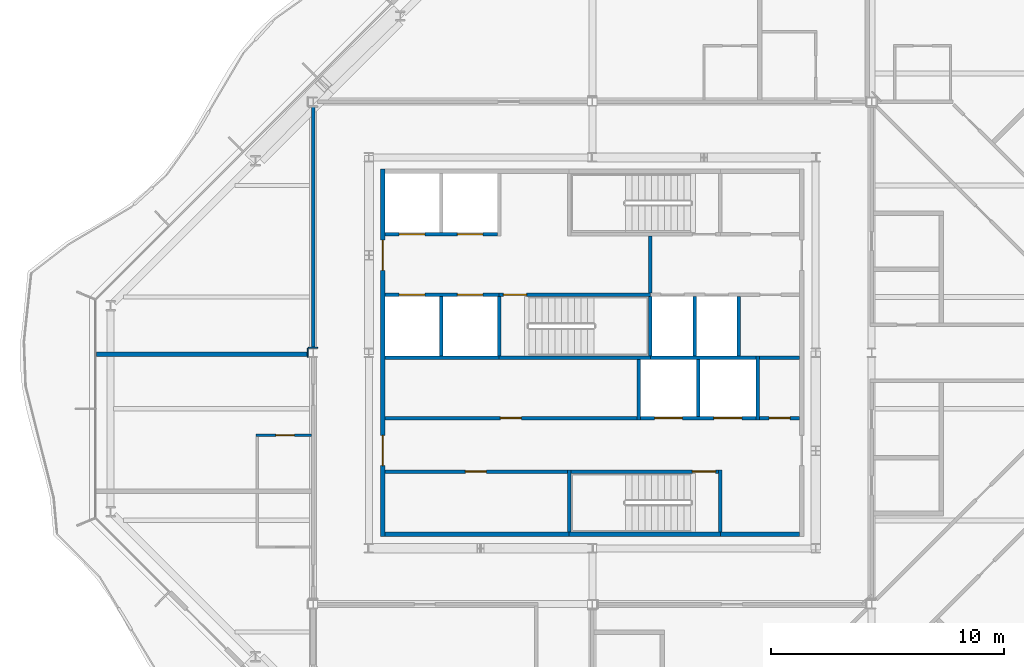
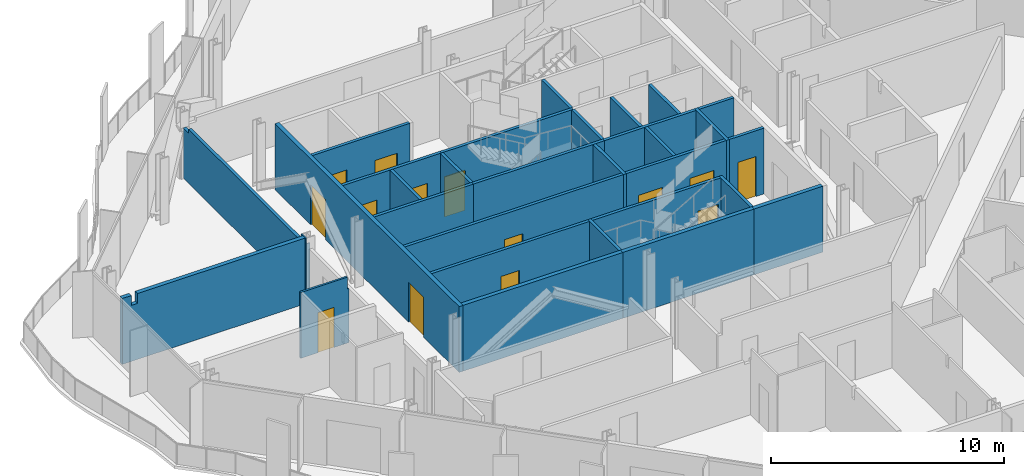
# One storey, part 8 of 17: 32 walls, 14 doors, 14 openings.
"""IFC4 building model written with IfcOpenShell, lengths in metres."""

from ifc_helpers import new_model, si_unit, direction, frame, frame_2d, origin, place, context, subcontext, project, spatial, polyline, rectangle, outline, extrude, material, layer, layer_set, type_object, element, fill, save


model = new_model("IFC4")

# Units and contexts
model_context = context("Model", 3, precision=1e-05, world=origin(), true_north=direction((0.0, 1.0)))
body_context = subcontext(model_context, "Body", "Model", "MODEL_VIEW")
ifc_project = project(units=[si_unit("LENGTHUNIT", "METRE"), si_unit("AREAUNIT", "SQUARE_METRE"), si_unit("VOLUMEUNIT", "CUBIC_METRE"), si_unit("PLANEANGLEUNIT", "RADIAN"), si_unit("MASSUNIT", "GRAM", prefix="KILO")], contexts=[model_context])

# Site, building, storey
site_placement = place(None, origin())
site = spatial("IfcSite", under=ifc_project, at=site_placement, CompositionType="ELEMENT")
building_placement = place(site_placement, origin())
building = spatial("IfcBuilding", under=site, at=building_placement, Name="Cairn Pilgrim Tower", CompositionType="ELEMENT")
storey_placement = place(building_placement, frame((0.0, 0.0, 221.39990234375)))
storey = spatial("IfcBuildingStorey", under=building, at=storey_placement, Name="L56", CompositionType="ELEMENT", Elevation=221.39990234375)

# Walls
ifc_material_1 = material(Name="Concrete C32/40", Category="concrete")
ifc_layer_1 = layer(ifc_material_1, 0.199951171875)
ifc_layer_set_1 = layer_set([ifc_layer_1], Name="CORE OUTER WALL 200 EI 120")
wall_type_1 = type_object("IfcWallType", Name="CORE OUTER WALL 200 EI 120", PredefinedType="SOLIDWALL", material=ifc_layer_set_1)
wall_1_placement = place(storey_placement, frame((-1.699951171875, -5.39990234375, 0.0), z_axis=(0.0, 0.0, 1.0), x_axis=(1.0, 0.0, 0.0)))
element("IfcWall", 1, at=wall_1_placement, inside=storey, type_object=wall_type_1, Name="CW:L56:H01-1", PredefinedType="SOLIDWALL", context=body_context, shape_type="SweptSolid", body=[
    extrude(rectangle(XDim=7.89990234375, YDim=0.199951171875, at=frame_2d((3.949951171875, 0.0))), origin(), (0.0, 0.0, 1.0), 3.4501953125),
])
wall_2_placement = place(storey_placement, frame((12.699951171875, -5.39990234375, 0.0), z_axis=(0.0, 0.0, 1.0), x_axis=(1.0, 0.0, 0.0)))
element("IfcWall", 2, at=wall_2_placement, inside=storey, type_object=wall_type_1, Name="CW:L56:H01-3", PredefinedType="SOLIDWALL", context=body_context, shape_type="SweptSolid", body=[
    extrude(rectangle(XDim=3.400146484375, YDim=0.199951171875, at=frame_2d((1.7001953125, 0.0))), origin(), (0.0, 0.0, 1.0), 3.4501953125),
])

# Wall, openings, doors
wall_3_placement = place(storey_placement, frame((-1.800048828125, -5.5, 0.0), z_axis=(0.0, 0.0, 1.0), x_axis=(0.0, 1.0, 0.0)))
wall_3 = element("IfcWall", 3, at=wall_3_placement, inside=storey, type_object=wall_type_1, Name="CW:L56:V13", PredefinedType="SOLIDWALL", context=body_context, shape_type="SweptSolid", body=[
    extrude(rectangle(XDim=15.800048828125, YDim=0.199951171875, at=frame_2d((7.89990234375, 0.0))), origin(), (0.0, 0.0, 1.0), 3.4501953125),
])
opening_1_placement = place(wall_3_placement, frame((3.050048828125, 0.0, 0.0)))
opening_1 = element("IfcOpeningElement", 4, at=opening_1_placement, cuts=wall_3, Name="Opening CD-W1", PredefinedType="OPENING", context=body_context, shape_type="SweptSolid", body=[
    extrude(rectangle(XDim=1.300048828125, YDim=2.10009765625, at=frame_2d((0.64990234375, 1.050048828125))), frame((0.0, 0.10986328125, 0.0), z_axis=(0.0, -1.0, 0.0), x_axis=(1.0, 0.0, 0.0)), (0.0, 0.0, 1.0), 0.219970703125),
])
opening_2_placement = place(wall_3_placement, frame((11.449951171875, 0.0, 0.0)))
opening_2 = element("IfcOpeningElement", 5, at=opening_2_placement, cuts=wall_3, Name="Opening CD-W2", PredefinedType="OPENING", context=body_context, shape_type="SweptSolid", body=[
    extrude(rectangle(XDim=1.300048828125, YDim=2.10009765625, at=frame_2d((0.64990234375, 1.050048828125))), frame((0.0, 0.10986328125, 0.0), z_axis=(0.0, -1.0, 0.0), x_axis=(1.0, 0.0, 0.0)), (0.0, 0.0, 1.0), 0.219970703125),
])
ifc_material_2 = material(Name="Painted steel", Category="steel")
door_type_1 = type_object("IfcDoorType", Name="CORE LOBBY DOOR 1300x2100", OperationType="DOUBLE_DOOR_SINGLE_SWING", PredefinedType="DOOR", material=ifc_material_2)
door_1_placement = place(opening_1_placement, origin())
door_1 = element("IfcDoor", 6, at=door_1_placement, inside=storey, type_object=door_type_1, Name="CD-W1", OperationType="DOUBLE_DOOR_SINGLE_SWING", OverallHeight=2.10009765625, OverallWidth=1.300048828125, PredefinedType="DOOR", context=body_context, shape_type="SweptSolid", body=[
    extrude(rectangle(XDim=1.300048828125, YDim=2.10009765625, at=frame_2d((0.64990234375, 1.050048828125))), frame((0.0, 0.02490234375, 0.0), z_axis=(0.0, -1.0, 0.0), x_axis=(1.0, 0.0, 0.0)), (0.0, 0.0, 1.0), 0.050048828125),
])
fill(opening_1, door_1)
door_2_placement = place(opening_2_placement, origin())
door_2 = element("IfcDoor", 7, at=door_2_placement, inside=storey, type_object=door_type_1, Name="CD-W2", OperationType="DOUBLE_DOOR_SINGLE_SWING", OverallHeight=2.10009765625, OverallWidth=1.300048828125, PredefinedType="DOOR", context=body_context, shape_type="SweptSolid", body=[
    extrude(rectangle(XDim=1.300048828125, YDim=2.10009765625, at=frame_2d((0.64990234375, 1.050048828125))), frame((0.0, 0.02490234375, 0.0), z_axis=(0.0, -1.0, 0.0), x_axis=(1.0, 0.0, 0.0)), (0.0, 0.0, 1.0), 0.050048828125),
])
fill(opening_2, door_2)

# Wall, opening, door
ifc_layer_2 = layer(ifc_material_1, 0.14990234375)
ifc_layer_set_2 = layer_set([ifc_layer_2], Name="CORE PARTITION 150 EI 60")
wall_type_2 = type_object("IfcWallType", Name="CORE PARTITION 150 EI 60", PredefinedType="PARTITIONING", material=ifc_layer_set_2)
wall_4_placement = place(storey_placement, frame((-1.699951171875, -2.699951171875, 0.0), z_axis=(0.0, 0.0, 1.0), x_axis=(1.0, 0.0, 0.0)))
wall_4 = element("IfcWall", 8, at=wall_4_placement, inside=storey, type_object=wall_type_2, Name="CW:L56:H02", PredefinedType="PARTITIONING", context=body_context, shape_type="SweptSolid", body=[
    extrude(rectangle(XDim=7.824951171875, YDim=0.14990234375, at=frame_2d((3.91259765625, 0.0))), origin(), (0.0, 0.0, 1.0), 3.4501953125),
])
opening_3_placement = place(wall_4_placement, frame((3.449951171875, 0.0, 0.0)))
opening_3 = element("IfcOpeningElement", 9, at=opening_3_placement, cuts=wall_4, Name="Opening RD-R1W1", PredefinedType="OPENING", context=body_context, shape_type="SweptSolid", body=[
    extrude(rectangle(XDim=0.89990234375, YDim=2.10009765625, at=frame_2d((0.449951171875, 1.050048828125))), frame((0.0, 0.0849609375, 0.0), z_axis=(0.0, -1.0, 0.0), x_axis=(1.0, 0.0, 0.0)), (0.0, 0.0, 1.0), 0.169921875),
])
door_type_2 = type_object("IfcDoorType", Name="SERVICE ROOM DOOR 900x2100", OperationType="SINGLE_SWING_LEFT", PredefinedType="DOOR", material=ifc_material_2)
door_3_placement = place(opening_3_placement, origin())
door_3 = element("IfcDoor", 10, at=door_3_placement, inside=storey, type_object=door_type_2, Name="RD-R1W1", OperationType="SINGLE_SWING_LEFT", OverallHeight=2.10009765625, OverallWidth=0.89990234375, PredefinedType="DOOR", context=body_context, shape_type="SweptSolid", body=[
    extrude(rectangle(XDim=0.89990234375, YDim=2.10009765625, at=frame_2d((0.449951171875, 1.050048828125))), frame((0.0, 0.02490234375, 0.0), z_axis=(0.0, -1.0, 0.0), x_axis=(1.0, 0.0, 0.0)), (0.0, 0.0, 1.0), 0.050048828125),
])
fill(opening_3, door_3)

wall_5_placement = place(storey_placement, frame((-1.699951171875, -0.39990234375, 0.0), z_axis=(0.0, 0.0, 1.0), x_axis=(1.0, 0.0, 0.0)))
wall_5 = element("IfcWall", 11, at=wall_5_placement, inside=storey, type_object=wall_type_2, Name="CW:L56:H04", PredefinedType="PARTITIONING", context=body_context, shape_type="SweptSolid", body=[
    extrude(rectangle(XDim=10.824951171875, YDim=0.14990234375, at=frame_2d((5.41259765625, 0.0))), origin(), (0.0, 0.0, 1.0), 3.4501953125),
])
opening_4_placement = place(wall_5_placement, frame((4.949951171875, 0.0, 0.0)))
opening_4 = element("IfcOpeningElement", 12, at=opening_4_placement, cuts=wall_5, Name="Opening RD-R2W1", PredefinedType="OPENING", context=body_context, shape_type="SweptSolid", body=[
    extrude(rectangle(XDim=0.89990234375, YDim=2.10009765625, at=frame_2d((0.449951171875, 1.050048828125))), frame((0.0, 0.0849609375, 0.0), z_axis=(0.0, -1.0, 0.0), x_axis=(1.0, 0.0, 0.0)), (0.0, 0.0, 1.0), 0.169921875),
])
door_4_placement = place(opening_4_placement, origin())
door_4 = element("IfcDoor", 13, at=door_4_placement, inside=storey, type_object=door_type_2, Name="RD-R2W1", OperationType="SINGLE_SWING_RIGHT", OverallHeight=2.10009765625, OverallWidth=0.89990234375, PredefinedType="DOOR", context=body_context, shape_type="SweptSolid", body=[
    extrude(rectangle(XDim=0.89990234375, YDim=2.10009765625, at=frame_2d((0.449951171875, 1.050048828125))), frame((0.0, 0.02490234375, 0.0), z_axis=(0.0, -1.0, 0.0), x_axis=(1.0, 0.0, 0.0)), (0.0, 0.0, 1.0), 0.050048828125),
])
fill(opening_4, door_4)

wall_6_placement = place(storey_placement, frame((14.375, -0.39990234375, 0.0), z_axis=(0.0, 0.0, 1.0), x_axis=(1.0, 0.0, 0.0)))
wall_6 = element("IfcWall", 14, at=wall_6_placement, inside=storey, type_object=wall_type_2, Name="CW:L56:H06", PredefinedType="PARTITIONING", context=body_context, shape_type="SweptSolid", body=[
    extrude(rectangle(XDim=1.72509765625, YDim=0.14990234375, at=frame_2d((0.862548828125, 0.0))), origin(), (0.0, 0.0, 1.0), 3.4501953125),
])
opening_5_placement = place(wall_6_placement, frame((0.425048828125, 0.0, 0.0)))
opening_5 = element("IfcOpeningElement", 15, at=opening_5_placement, cuts=wall_6, Name="Opening RD-R2E", PredefinedType="OPENING", context=body_context, shape_type="SweptSolid", body=[
    extrude(rectangle(XDim=0.89990234375, YDim=2.10009765625, at=frame_2d((0.449951171875, 1.050048828125))), frame((0.0, 0.0849609375, 0.0), z_axis=(0.0, -1.0, 0.0), x_axis=(1.0, 0.0, 0.0)), (0.0, 0.0, 1.0), 0.169921875),
])
door_5_placement = place(opening_5_placement, origin())
door_5 = element("IfcDoor", 16, at=door_5_placement, inside=storey, type_object=door_type_2, Name="RD-R2E", OperationType="SINGLE_SWING_RIGHT", OverallHeight=2.10009765625, OverallWidth=0.89990234375, PredefinedType="DOOR", context=body_context, shape_type="SweptSolid", body=[
    extrude(rectangle(XDim=0.89990234375, YDim=2.10009765625, at=frame_2d((0.449951171875, 1.050048828125))), frame((0.0, 0.02490234375, 0.0), z_axis=(0.0, -1.0, 0.0), x_axis=(1.0, 0.0, 0.0)), (0.0, 0.0, 1.0), 0.050048828125),
])
fill(opening_5, door_5)

# Wall
wall_7_placement = place(storey_placement, frame((14.375, 2.199951171875, 0.0), z_axis=(0.0, 0.0, 1.0), x_axis=(1.0, 0.0, 0.0)))
element("IfcWall", 17, at=wall_7_placement, inside=storey, type_object=wall_type_2, Name="CW:L56:H08", PredefinedType="PARTITIONING", context=body_context, shape_type="SweptSolid", body=[
    extrude(rectangle(XDim=1.72509765625, YDim=0.14990234375, at=frame_2d((0.862548828125, 0.0))), origin(), (0.0, 0.0, 1.0), 3.4501953125),
])

# Wall, openings, doors
ifc_layer_3 = layer(ifc_material_1, 0.14990234375)
ifc_layer_set_3 = layer_set([ifc_layer_3], Name="CORE SHAFT WALL 150 EI 120")
wall_type_3 = type_object("IfcWallType", Name="CORE SHAFT WALL 150 EI 120", PredefinedType="SOLIDWALL", material=ifc_layer_set_3)
wall_8_placement = place(storey_placement, frame((9.27490234375, -0.39990234375, 0.0), z_axis=(0.0, 0.0, 1.0), x_axis=(1.0, 0.0, 0.0)))
wall_8 = element("IfcWall", 18, at=wall_8_placement, inside=storey, type_object=wall_type_3, Name="CW:L56:H05", PredefinedType="SOLIDWALL", context=body_context, shape_type="SweptSolid", body=[
    extrude(rectangle(XDim=4.9501953125, YDim=0.14990234375, at=frame_2d((2.47509765625, 0.0))), origin(), (0.0, 0.0, 1.0), 3.4501953125),
])
opening_6_placement = place(wall_8_placement, frame((0.60009765625, 0.0, 0.0)))
opening_6 = element("IfcOpeningElement", 19, at=opening_6_placement, cuts=wall_8, Name="Opening LD-SV1", PredefinedType="OPENING", context=body_context, shape_type="SweptSolid", body=[
    extrude(rectangle(XDim=1.199951171875, YDim=2.10009765625, at=frame_2d((0.60009765625, 1.050048828125))), frame((0.0, 0.0849609375, 0.0), z_axis=(0.0, -1.0, 0.0), x_axis=(1.0, 0.0, 0.0)), (0.0, 0.0, 1.0), 0.169921875),
])
opening_7_placement = place(wall_8_placement, frame((3.14990234375, 0.0, 0.0)))
opening_7 = element("IfcOpeningElement", 20, at=opening_7_placement, cuts=wall_8, Name="Opening LD-SV2", PredefinedType="OPENING", context=body_context, shape_type="SweptSolid", body=[
    extrude(rectangle(XDim=1.199951171875, YDim=2.10009765625, at=frame_2d((0.60009765625, 1.050048828125))), frame((0.0, 0.0849609375, 0.0), z_axis=(0.0, -1.0, 0.0), x_axis=(1.0, 0.0, 0.0)), (0.0, 0.0, 1.0), 0.169921875),
])
ifc_material_3 = material(Name="Stainless steel", Category="steel")
door_type_3 = type_object("IfcDoorType", Name="LIFT LANDING DOOR 1200x2100", OperationType="DOUBLE_DOOR_SLIDING", PredefinedType="DOOR", material=ifc_material_3)
door_6_placement = place(opening_6_placement, origin())
door_6 = element("IfcDoor", 21, at=door_6_placement, inside=storey, type_object=door_type_3, Name="LANDING DOOR SV1", OperationType="DOUBLE_DOOR_SLIDING", OverallHeight=2.10009765625, OverallWidth=1.199951171875, PredefinedType="DOOR", context=body_context, shape_type="SweptSolid", body=[
    extrude(rectangle(XDim=1.199951171875, YDim=2.10009765625, at=frame_2d((0.60009765625, 1.050048828125))), frame((0.0, 0.02490234375, 0.0), z_axis=(0.0, -1.0, 0.0), x_axis=(1.0, 0.0, 0.0)), (0.0, 0.0, 1.0), 0.050048828125),
])
fill(opening_6, door_6)
door_7_placement = place(opening_7_placement, origin())
door_7 = element("IfcDoor", 22, at=door_7_placement, inside=storey, type_object=door_type_3, Name="LANDING DOOR SV2", OperationType="DOUBLE_DOOR_SLIDING", OverallHeight=2.10009765625, OverallWidth=1.199951171875, PredefinedType="DOOR", context=body_context, shape_type="SweptSolid", body=[
    extrude(rectangle(XDim=1.199951171875, YDim=2.10009765625, at=frame_2d((0.60009765625, 1.050048828125))), frame((0.0, 0.02490234375, 0.0), z_axis=(0.0, -1.0, 0.0), x_axis=(1.0, 0.0, 0.0)), (0.0, 0.0, 1.0), 0.050048828125),
])
fill(opening_7, door_7)

# Walls
wall_9_placement = place(storey_placement, frame((-1.699951171875, 2.199951171875, 0.0), z_axis=(0.0, 0.0, 1.0), x_axis=(1.0, 0.0, 0.0)))
element("IfcWall", 23, at=wall_9_placement, inside=storey, type_object=wall_type_3, Name="CW:L56:H07-1", PredefinedType="SOLIDWALL", context=body_context, shape_type="SweptSolid", body=[
    extrude(rectangle(XDim=4.89990234375, YDim=0.14990234375, at=frame_2d((2.449951171875, 0.0))), origin(), (0.0, 0.0, 1.0), 3.4501953125),
])
wall_10_placement = place(storey_placement, frame((9.699951171875, 2.199951171875, 0.0), z_axis=(0.0, 0.0, 1.0), x_axis=(1.0, 0.0, 0.0)))
element("IfcWall", 24, at=wall_10_placement, inside=storey, type_object=wall_type_3, Name="CW:L56:H07-3", PredefinedType="SOLIDWALL", context=body_context, shape_type="SweptSolid", body=[
    extrude(rectangle(XDim=4.525146484375, YDim=0.14990234375, at=frame_2d((2.2626953125, 0.0))), origin(), (0.0, 0.0, 1.0), 3.4501953125),
])

# Wall, openings, doors
wall_11_placement = place(storey_placement, frame((-1.699951171875, 4.89990234375, 0.0), z_axis=(0.0, 0.0, 1.0), x_axis=(1.0, 0.0, 0.0)))
wall_11 = element("IfcWall", 25, at=wall_11_placement, inside=storey, type_object=wall_type_3, Name="CW:L56:H09-1", PredefinedType="SOLIDWALL", context=body_context, shape_type="SweptSolid", body=[
    extrude(rectangle(XDim=4.89990234375, YDim=0.14990234375, at=frame_2d((2.449951171875, 0.0))), origin(), (0.0, 0.0, 1.0), 3.4501953125),
])
opening_8_placement = place(wall_11_placement, frame((0.60009765625, 0.0, 0.0)))
opening_8 = element("IfcOpeningElement", 26, at=opening_8_placement, cuts=wall_11, Name="Opening LD-HR1", PredefinedType="OPENING", context=body_context, shape_type="SweptSolid", body=[
    extrude(rectangle(XDim=1.10009765625, YDim=2.10009765625, at=frame_2d((0.550048828125, 1.050048828125))), frame((0.0, 0.0849609375, 0.0), z_axis=(0.0, -1.0, 0.0), x_axis=(1.0, 0.0, 0.0)), (0.0, 0.0, 1.0), 0.169921875),
])
opening_9_placement = place(wall_11_placement, frame((3.10009765625, 0.0, 0.0)))
opening_9 = element("IfcOpeningElement", 27, at=opening_9_placement, cuts=wall_11, Name="Opening LD-HR2", PredefinedType="OPENING", context=body_context, shape_type="SweptSolid", body=[
    extrude(rectangle(XDim=1.10009765625, YDim=2.10009765625, at=frame_2d((0.550048828125, 1.050048828125))), frame((0.0, 0.0849609375, 0.0), z_axis=(0.0, -1.0, 0.0), x_axis=(1.0, 0.0, 0.0)), (0.0, 0.0, 1.0), 0.169921875),
])
door_type_4 = type_object("IfcDoorType", Name="LIFT LANDING DOOR 1100x2100", OperationType="DOUBLE_DOOR_SLIDING", PredefinedType="DOOR", material=ifc_material_3)
door_8_placement = place(opening_8_placement, origin())
door_8 = element("IfcDoor", 28, at=door_8_placement, inside=storey, type_object=door_type_4, Name="LANDING DOOR HR1", OperationType="DOUBLE_DOOR_SLIDING", OverallHeight=2.10009765625, OverallWidth=1.10009765625, PredefinedType="DOOR", context=body_context, shape_type="SweptSolid", body=[
    extrude(rectangle(XDim=1.10009765625, YDim=2.10009765625, at=frame_2d((0.550048828125, 1.050048828125))), frame((0.0, 0.02490234375, 0.0), z_axis=(0.0, -1.0, 0.0), x_axis=(1.0, 0.0, 0.0)), (0.0, 0.0, 1.0), 0.050048828125),
])
fill(opening_8, door_8)
door_9_placement = place(opening_9_placement, origin())
door_9 = element("IfcDoor", 29, at=door_9_placement, inside=storey, type_object=door_type_4, Name="LANDING DOOR HR2", OperationType="DOUBLE_DOOR_SLIDING", OverallHeight=2.10009765625, OverallWidth=1.10009765625, PredefinedType="DOOR", context=body_context, shape_type="SweptSolid", body=[
    extrude(rectangle(XDim=1.10009765625, YDim=2.10009765625, at=frame_2d((0.550048828125, 1.050048828125))), frame((0.0, 0.02490234375, 0.0), z_axis=(0.0, -1.0, 0.0), x_axis=(1.0, 0.0, 0.0)), (0.0, 0.0, 1.0), 0.050048828125),
])
fill(opening_9, door_9)

wall_12_placement = place(storey_placement, frame((-1.699951171875, 7.5, 0.0), z_axis=(0.0, 0.0, 1.0), x_axis=(1.0, 0.0, 0.0)))
wall_12 = element("IfcWall", 30, at=wall_12_placement, inside=storey, type_object=wall_type_3, Name="CW:L56:H10", PredefinedType="SOLIDWALL", context=body_context, shape_type="SweptSolid", body=[
    extrude(rectangle(XDim=4.824951171875, YDim=0.14990234375, at=frame_2d((2.41259765625, 0.0))), origin(), (0.0, 0.0, 1.0), 3.4501953125),
])
opening_10_placement = place(wall_12_placement, frame((0.60009765625, 0.0, 0.0)))
opening_10 = element("IfcOpeningElement", 31, at=opening_10_placement, cuts=wall_12, Name="Opening LD-HR3", PredefinedType="OPENING", context=body_context, shape_type="SweptSolid", body=[
    extrude(rectangle(XDim=1.10009765625, YDim=2.10009765625, at=frame_2d((0.550048828125, 1.050048828125))), frame((0.0, 0.0849609375, 0.0), z_axis=(0.0, -1.0, 0.0), x_axis=(1.0, 0.0, 0.0)), (0.0, 0.0, 1.0), 0.169921875),
])
opening_11_placement = place(wall_12_placement, frame((3.10009765625, 0.0, 0.0)))
opening_11 = element("IfcOpeningElement", 32, at=opening_11_placement, cuts=wall_12, Name="Opening LD-HR4", PredefinedType="OPENING", context=body_context, shape_type="SweptSolid", body=[
    extrude(rectangle(XDim=1.10009765625, YDim=2.10009765625, at=frame_2d((0.550048828125, 1.050048828125))), frame((0.0, 0.0849609375, 0.0), z_axis=(0.0, -1.0, 0.0), x_axis=(1.0, 0.0, 0.0)), (0.0, 0.0, 1.0), 0.169921875),
])
door_10_placement = place(opening_10_placement, origin())
door_10 = element("IfcDoor", 33, at=door_10_placement, inside=storey, type_object=door_type_4, Name="LANDING DOOR HR3", OperationType="DOUBLE_DOOR_SLIDING", OverallHeight=2.10009765625, OverallWidth=1.10009765625, PredefinedType="DOOR", context=body_context, shape_type="SweptSolid", body=[
    extrude(rectangle(XDim=1.10009765625, YDim=2.10009765625, at=frame_2d((0.550048828125, 1.050048828125))), frame((0.0, 0.02490234375, 0.0), z_axis=(0.0, -1.0, 0.0), x_axis=(1.0, 0.0, 0.0)), (0.0, 0.0, 1.0), 0.050048828125),
])
fill(opening_10, door_10)
door_11_placement = place(opening_11_placement, origin())
door_11 = element("IfcDoor", 34, at=door_11_placement, inside=storey, type_object=door_type_4, Name="LANDING DOOR HR4", OperationType="DOUBLE_DOOR_SLIDING", OverallHeight=2.10009765625, OverallWidth=1.10009765625, PredefinedType="DOOR", context=body_context, shape_type="SweptSolid", body=[
    extrude(rectangle(XDim=1.10009765625, YDim=2.10009765625, at=frame_2d((0.550048828125, 1.050048828125))), frame((0.0, 0.02490234375, 0.0), z_axis=(0.0, -1.0, 0.0), x_axis=(1.0, 0.0, 0.0)), (0.0, 0.0, 1.0), 0.050048828125),
])
fill(opening_11, door_11)

# Walls
wall_13_placement = place(storey_placement, frame((0.699951171875, 2.27490234375, 0.0), z_axis=(0.0, 0.0, 1.0), x_axis=(0.0, 1.0, 0.0)))
element("IfcWall", 35, at=wall_13_placement, inside=storey, type_object=wall_type_3, Name="CW:L56:V14", PredefinedType="SOLIDWALL", context=body_context, shape_type="SweptSolid", body=[
    extrude(rectangle(XDim=2.550048828125, YDim=0.14990234375, at=frame_2d((1.27490234375, 0.0))), origin(), (0.0, 0.0, 1.0), 3.4501953125),
])
wall_14_placement = place(storey_placement, frame((9.199951171875, -0.47509765625, 0.0), z_axis=(0.0, 0.0, 1.0), x_axis=(0.0, 1.0, 0.0)))
element("IfcWall", 36, at=wall_14_placement, inside=storey, type_object=wall_type_3, Name="CW:L56:V20", PredefinedType="SOLIDWALL", context=body_context, shape_type="SweptSolid", body=[
    extrude(rectangle(XDim=2.60009765625, YDim=0.14990234375, at=frame_2d((1.300048828125, 0.0))), origin(), (0.0, 0.0, 1.0), 3.4501953125),
])
wall_15_placement = place(storey_placement, frame((9.699951171875, 4.97509765625, 0.0), z_axis=(0.0, 0.0, 1.0), x_axis=(0.0, 1.0, 0.0)))
element("IfcWall", 37, at=wall_15_placement, inside=storey, type_object=wall_type_3, Name="CW:L56:V22", PredefinedType="SOLIDWALL", context=body_context, shape_type="SweptSolid", body=[
    extrude(rectangle(XDim=2.449951171875, YDim=0.14990234375, at=frame_2d((1.22509765625, 0.0))), origin(), (0.0, 0.0, 1.0), 3.4501953125),
])
wall_16_placement = place(storey_placement, frame((11.60009765625, 2.27490234375, 0.0), z_axis=(0.0, 0.0, 1.0), x_axis=(0.0, 1.0, 0.0)))
element("IfcWall", 38, at=wall_16_placement, inside=storey, type_object=wall_type_3, Name="CW:L56:V23", PredefinedType="SOLIDWALL", context=body_context, shape_type="SweptSolid", body=[
    extrude(rectangle(XDim=2.550048828125, YDim=0.14990234375, at=frame_2d((1.27490234375, 0.0))), origin(), (0.0, 0.0, 1.0), 3.4501953125),
])
wall_17_placement = place(storey_placement, frame((11.75, -0.324951171875, 0.0), z_axis=(0.0, 0.0, 1.0), x_axis=(0.0, 1.0, 0.0)))
element("IfcWall", 39, at=wall_17_placement, inside=storey, type_object=wall_type_3, Name="CW:L56:V24", PredefinedType="SOLIDWALL", context=body_context, shape_type="SweptSolid", body=[
    extrude(rectangle(XDim=2.449951171875, YDim=0.14990234375, at=frame_2d((1.22509765625, 0.0))), origin(), (0.0, 0.0, 1.0), 3.4501953125),
])
wall_18_placement = place(storey_placement, frame((13.5, 2.27490234375, 0.0), z_axis=(0.0, 0.0, 1.0), x_axis=(0.0, 1.0, 0.0)))
element("IfcWall", 40, at=wall_18_placement, inside=storey, type_object=wall_type_3, Name="CW:L56:V27", PredefinedType="SOLIDWALL", context=body_context, shape_type="SweptSolid", body=[
    extrude(rectangle(XDim=2.550048828125, YDim=0.14990234375, at=frame_2d((1.27490234375, 0.0))), origin(), (0.0, 0.0, 1.0), 3.4501953125),
])
wall_19_placement = place(storey_placement, frame((14.300048828125, -0.47509765625, 0.0), z_axis=(0.0, 0.0, 1.0), x_axis=(0.0, 1.0, 0.0)))
element("IfcWall", 41, at=wall_19_placement, inside=storey, type_object=wall_type_3, Name="CW:L56:V28", PredefinedType="SOLIDWALL", context=body_context, shape_type="SweptSolid", body=[
    extrude(rectangle(XDim=2.75, YDim=0.14990234375, at=frame_2d((1.375, 0.0))), origin(), (0.0, 0.0, 1.0), 3.4501953125),
])

# Wall, opening, door
ifc_material_4 = material(Name="Gypsum partition")
ifc_layer_4 = layer(ifc_material_4, 0.10009765625)
ifc_layer_set_4 = layer_set([ifc_layer_4], Name="PARTITION 100 DRYWALL")
wall_type_4 = type_object("IfcWallType", Name="PARTITION 100 DRYWALL", PredefinedType="PARTITIONING", material=ifc_layer_set_4)
wall_20_placement = place(storey_placement, frame((-7.25, -1.14404296875, 0.0), z_axis=(0.0, 0.0, 1.0), x_axis=(1.0, 0.0, 0.0)))
wall_20 = element("IfcWall", 42, at=wall_20_placement, inside=storey, type_object=wall_type_4, Name="PARTITION W043", PredefinedType="PARTITIONING", context=body_context, shape_type="SweptSolid", body=[
    extrude(outline(polyline([(0.0, 0.0), (2.375, 0.0), (2.375, 2.830078125), (2.300048828125, 2.830078125), (2.298095703125, 3.4501953125), (0.0, 3.4501953125), (0.0, 0.0)])), frame((0.0, 0.050048828125, 0.0), z_axis=(0.0, -1.0, 0.0), x_axis=(1.0, 0.0, 0.0)), (0.0, 0.0, 1.0), 0.10009765625),
])
opening_12_placement = place(wall_20_placement, frame((0.85009765625, 0.0, 0.0)))
opening_12 = element("IfcOpeningElement", 43, at=opening_12_placement, cuts=wall_20, Name="Opening 5611A", PredefinedType="OPENING", context=body_context, shape_type="SweptSolid", body=[
    extrude(rectangle(XDim=0.800048828125, YDim=2.10009765625, at=frame_2d((0.39990234375, 1.050048828125))), frame((0.0, 0.06005859375, 0.0), z_axis=(0.0, -1.0, 0.0), x_axis=(1.0, 0.0, 0.0)), (0.0, 0.0, 1.0), 0.1201171875),
])
ifc_material_5 = material(Name="Timber door leaf", Category="wood")
door_type_5 = type_object("IfcDoorType", Name="WC DOOR 800x2100", OperationType="NOTDEFINED", PredefinedType="DOOR", material=ifc_material_5)
door_12_placement = place(opening_12_placement, origin())
door_12 = element("IfcDoor", 44, at=door_12_placement, inside=storey, type_object=door_type_5, Name="DOOR 5611A", OperationType="SINGLE_SWING_RIGHT", OverallHeight=2.10009765625, OverallWidth=0.800048828125, PredefinedType="DOOR", context=body_context, shape_type="SweptSolid", body=[
    extrude(rectangle(XDim=0.800048828125, YDim=2.10009765625, at=frame_2d((0.39990234375, 1.050048828125))), frame((0.0, 0.02490234375, 0.0), z_axis=(0.0, -1.0, 0.0), x_axis=(1.0, 0.0, 0.0)), (0.0, 0.0, 1.0), 0.050048828125),
])
fill(opening_12, door_12)

# Walls
ifc_layer_5 = layer(ifc_material_4, 0.14990234375)
ifc_layer_set_5 = layer_set([ifc_layer_5], Name="PARTITION 150 DRYWALL EI 60")
wall_type_5 = type_object("IfcWallType", Name="PARTITION 150 DRYWALL EI 60", PredefinedType="PARTITIONING", material=ifc_layer_set_5)
wall_21_placement = place(storey_placement, frame((-4.800048828125, 2.596435546875, 0.0), z_axis=(0.0, 0.0, 1.0), x_axis=(0.0, 1.0, 0.0)))
element("IfcWall", 45, at=wall_21_placement, inside=storey, type_object=wall_type_5, Name="PARTITION W048", PredefinedType="PARTITIONING", context=body_context, shape_type="SweptSolid", body=[
    extrude(outline(polyline([(0.0, 0.0), (10.406982421875, 0.0), (10.406982421875, 2.630126953125), (9.960693359375, 2.630126953125), (9.958740234375, 2.830078125), (0.0, 2.830078125), (0.0, 0.0)])), frame((0.0, 0.074951171875, 0.0), z_axis=(0.0, -1.0, 0.0), x_axis=(1.0, 0.0, 0.0)), (0.0, 0.0, 1.0), 0.14990234375),
])
ifc_layer_6 = layer(ifc_material_4, 0.050048828125)
ifc_layer_set_6 = layer_set([ifc_layer_6], Name="PARTITION 50 DRYWALL EI 60")
wall_type_6 = type_object("IfcWallType", Name="PARTITION 50 DRYWALL EI 60", PredefinedType="PARTITIONING", material=ifc_layer_set_6)
wall_22_placement = place(storey_placement, frame((-5.0244140625, 2.20361328125, 0.0), z_axis=(0.0, 0.0, 1.0), x_axis=(0.0, 1.0, 0.0)))
element("IfcWall", 46, at=wall_22_placement, inside=storey, type_object=wall_type_6, Name="COLUMN CASING WC09", PredefinedType="PARTITIONING", context=body_context, shape_type="SweptSolid", body=[
    extrude(rectangle(XDim=0.392822265625, YDim=0.050048828125, at=frame_2d((0.1962890625, 0.0))), origin(), (0.0, 0.0, 1.0), 3.4501953125),
])
wall_23_placement = place(storey_placement, frame((-4.99951171875, 2.62158203125, 0.0), z_axis=(0.0, 0.0, 1.0), x_axis=(1.0, 0.0, 0.0)))
element("IfcWall", 47, at=wall_23_placement, inside=storey, type_object=wall_type_6, Name="COLUMN CASING WC16", PredefinedType="PARTITIONING", context=body_context, shape_type="SweptSolid", body=[
    extrude(rectangle(XDim=0.39892578125, YDim=0.050048828125, at=frame_2d((0.199462890625, 0.0))), origin(), (0.0, 0.0, 1.0), 2.830078125),
])
ifc_layer_7 = layer(ifc_material_4, 0.199951171875)
ifc_layer_set_7 = layer_set([ifc_layer_7], Name="SHAFT WALL 200 GYPSUM EI 60")
wall_type_7 = type_object("IfcWallType", Name="SHAFT WALL 200 GYPSUM EI 60", PredefinedType="PARTITIONING", material=ifc_layer_set_7)
wall_24_placement = place(storey_placement, frame((-14.10302734375, 2.343994140625, 0.0), z_axis=(0.0, 0.0, 1.0), x_axis=(1.0, 0.0, 0.0)))
element("IfcWall", 48, at=wall_24_placement, inside=storey, type_object=wall_type_7, Name="PARTITION W046", PredefinedType="PARTITIONING", context=body_context, shape_type="SweptSolid", body=[
    extrude(outline(polyline([(0.0, 0.0), (9.103515625, 0.0), (9.103515625, 3.4501953125), (0.7529296875, 3.4501953125), (0.7509765625, 2.93017578125), (0.452880859375, 2.93017578125), (0.450927734375, 3.4501953125), (0.0, 3.4501953125), (0.0, 0.0)])), frame((0.0, 0.10009765625, 0.0), z_axis=(0.0, -1.0, 0.0), x_axis=(1.0, 0.0, 0.0)), (0.0, 0.0, 1.0), 0.199951171875),
])

# Wall, opening, door
ifc_material_6 = material(Name="Concrete C35/45", Category="concrete")
ifc_layer_8 = layer(ifc_material_6, 0.14990234375)
ifc_layer_set_8 = layer_set([ifc_layer_8], Name="STAIR SHAFT WALL 150 EI 120")
wall_type_8 = type_object("IfcWallType", Name="STAIR SHAFT WALL 150 EI 120", PredefinedType="SOLIDWALL", material=ifc_layer_set_8)
wall_25_placement = place(storey_placement, frame((6.27490234375, -2.699951171875, 0.0), z_axis=(0.0, 0.0, 1.0), x_axis=(1.0, 0.0, 0.0)))
wall_25 = element("IfcWall", 49, at=wall_25_placement, inside=storey, type_object=wall_type_8, Name="CW:L56:H03", PredefinedType="SOLIDWALL", context=body_context, shape_type="SweptSolid", body=[
    extrude(rectangle(XDim=6.35009765625, YDim=0.14990234375, at=frame_2d((3.175048828125, 0.0))), origin(), (0.0, 0.0, 1.0), 3.4501953125),
])
opening_13_placement = place(wall_25_placement, frame((5.22509765625, 0.0, 0.0)))
opening_13 = element("IfcOpeningElement", 50, at=opening_13_placement, cuts=wall_25, Name="Opening SD-A", PredefinedType="OPENING", context=body_context, shape_type="SweptSolid", body=[
    extrude(rectangle(XDim=1.0, YDim=2.10009765625, at=frame_2d((0.5, 1.050048828125))), frame((0.0, 0.0849609375, 0.0), z_axis=(0.0, -1.0, 0.0), x_axis=(1.0, 0.0, 0.0)), (0.0, 0.0, 1.0), 0.169921875),
])
door_type_6 = type_object("IfcDoorType", Name="STAIR DOOR FD60S 1000x2100", OperationType="SINGLE_SWING_LEFT", PredefinedType="DOOR", material=ifc_material_2)
door_13_placement = place(opening_13_placement, origin())
door_13 = element("IfcDoor", 51, at=door_13_placement, inside=storey, type_object=door_type_6, Name="SD-A", OperationType="SINGLE_SWING_LEFT", OverallHeight=2.10009765625, OverallWidth=1.0, PredefinedType="DOOR", context=body_context, shape_type="SweptSolid", body=[
    extrude(rectangle(XDim=1.0, YDim=2.10009765625, at=frame_2d((0.5, 1.050048828125))), frame((0.0, 0.02490234375, 0.0), z_axis=(0.0, -1.0, 0.0), x_axis=(1.0, 0.0, 0.0)), (0.0, 0.0, 1.0), 0.050048828125),
])
fill(opening_13, door_13)

# Wall
wall_26_placement = place(storey_placement, frame((3.199951171875, 2.199951171875, 0.0), z_axis=(0.0, 0.0, 1.0), x_axis=(1.0, 0.0, 0.0)))
element("IfcWall", 52, at=wall_26_placement, inside=storey, type_object=wall_type_8, Name="CW:L56:H07-2", PredefinedType="SOLIDWALL", context=body_context, shape_type="SweptSolid", body=[
    extrude(rectangle(XDim=6.5, YDim=0.14990234375, at=frame_2d((3.25, 0.0))), origin(), (0.0, 0.0, 1.0), 3.4501953125),
])

# Wall, opening, door
wall_27_placement = place(storey_placement, frame((3.199951171875, 4.89990234375, 0.0), z_axis=(0.0, 0.0, 1.0), x_axis=(1.0, 0.0, 0.0)))
wall_27 = element("IfcWall", 53, at=wall_27_placement, inside=storey, type_object=wall_type_8, Name="CW:L56:H09-2", PredefinedType="SOLIDWALL", context=body_context, shape_type="SweptSolid", body=[
    extrude(rectangle(XDim=6.5, YDim=0.14990234375, at=frame_2d((3.25, 0.0))), origin(), (0.0, 0.0, 1.0), 3.4501953125),
])
opening_14_placement = place(wall_27_placement, frame((0.175048828125, 0.0, 0.0)))
opening_14 = element("IfcOpeningElement", 54, at=opening_14_placement, cuts=wall_27, Name="Opening SD-B", PredefinedType="OPENING", context=body_context, shape_type="SweptSolid", body=[
    extrude(rectangle(XDim=1.0, YDim=2.10009765625, at=frame_2d((0.5, 1.050048828125))), frame((0.0, 0.0849609375, 0.0), z_axis=(0.0, -1.0, 0.0), x_axis=(1.0, 0.0, 0.0)), (0.0, 0.0, 1.0), 0.169921875),
])
door_14_placement = place(opening_14_placement, origin())
door_14 = element("IfcDoor", 55, at=door_14_placement, inside=storey, type_object=door_type_6, Name="SD-B", OperationType="SINGLE_SWING_RIGHT", OverallHeight=2.10009765625, OverallWidth=1.0, PredefinedType="DOOR", context=body_context, shape_type="SweptSolid", body=[
    extrude(rectangle(XDim=1.0, YDim=2.10009765625, at=frame_2d((0.5, 1.050048828125))), frame((0.0, 0.02490234375, 0.0), z_axis=(0.0, -1.0, 0.0), x_axis=(1.0, 0.0, 0.0)), (0.0, 0.0, 1.0), 0.050048828125),
])
fill(opening_14, door_14)

# Walls
wall_28_placement = place(storey_placement, frame((3.199951171875, 2.27490234375, 0.0), z_axis=(0.0, 0.0, 1.0), x_axis=(0.0, 1.0, 0.0)))
element("IfcWall", 56, at=wall_28_placement, inside=storey, type_object=wall_type_8, Name="CW:L56:V16", PredefinedType="SOLIDWALL", context=body_context, shape_type="SweptSolid", body=[
    extrude(rectangle(XDim=2.550048828125, YDim=0.14990234375, at=frame_2d((1.27490234375, 0.0))), origin(), (0.0, 0.0, 1.0), 3.4501953125),
])
wall_29_placement = place(storey_placement, frame((6.199951171875, -5.300048828125, 0.0), z_axis=(0.0, 0.0, 1.0), x_axis=(0.0, 1.0, 0.0)))
element("IfcWall", 57, at=wall_29_placement, inside=storey, type_object=wall_type_8, Name="CW:L56:V18", PredefinedType="SOLIDWALL", context=body_context, shape_type="SweptSolid", body=[
    extrude(rectangle(XDim=2.675048828125, YDim=0.14990234375, at=frame_2d((1.33740234375, 0.0))), origin(), (0.0, 0.0, 1.0), 3.4501953125),
])
wall_30_placement = place(storey_placement, frame((9.699951171875, 2.27490234375, 0.0), z_axis=(0.0, 0.0, 1.0), x_axis=(0.0, 1.0, 0.0)))
element("IfcWall", 58, at=wall_30_placement, inside=storey, type_object=wall_type_8, Name="CW:L56:V21", PredefinedType="SOLIDWALL", context=body_context, shape_type="SweptSolid", body=[
    extrude(rectangle(XDim=2.550048828125, YDim=0.14990234375, at=frame_2d((1.27490234375, 0.0))), origin(), (0.0, 0.0, 1.0), 3.4501953125),
])
wall_31_placement = place(storey_placement, frame((12.699951171875, -5.300048828125, 0.0), z_axis=(0.0, 0.0, 1.0), x_axis=(0.0, 1.0, 0.0)))
element("IfcWall", 59, at=wall_31_placement, inside=storey, type_object=wall_type_8, Name="CW:L56:V25", PredefinedType="SOLIDWALL", context=body_context, shape_type="SweptSolid", body=[
    extrude(rectangle(XDim=2.675048828125, YDim=0.14990234375, at=frame_2d((1.33740234375, 0.0))), origin(), (0.0, 0.0, 1.0), 3.4501953125),
])
ifc_layer_9 = layer(ifc_material_6, 0.199951171875)
ifc_layer_set_9 = layer_set([ifc_layer_9], Name="STAIR SHAFT WALL 200 EI 120")
wall_type_9 = type_object("IfcWallType", Name="STAIR SHAFT WALL 200 EI 120", PredefinedType="SOLIDWALL", material=ifc_layer_set_9)
wall_32_placement = place(storey_placement, frame((6.199951171875, -5.39990234375, 0.0), z_axis=(0.0, 0.0, 1.0), x_axis=(1.0, 0.0, 0.0)))
element("IfcWall", 60, at=wall_32_placement, inside=storey, type_object=wall_type_9, Name="CW:L56:H01-2", PredefinedType="SOLIDWALL", context=body_context, shape_type="SweptSolid", body=[
    extrude(rectangle(XDim=6.5, YDim=0.199951171875, at=frame_2d((3.25, 0.0))), origin(), (0.0, 0.0, 1.0), 3.4501953125),
])

save(model, "model.ifc")
